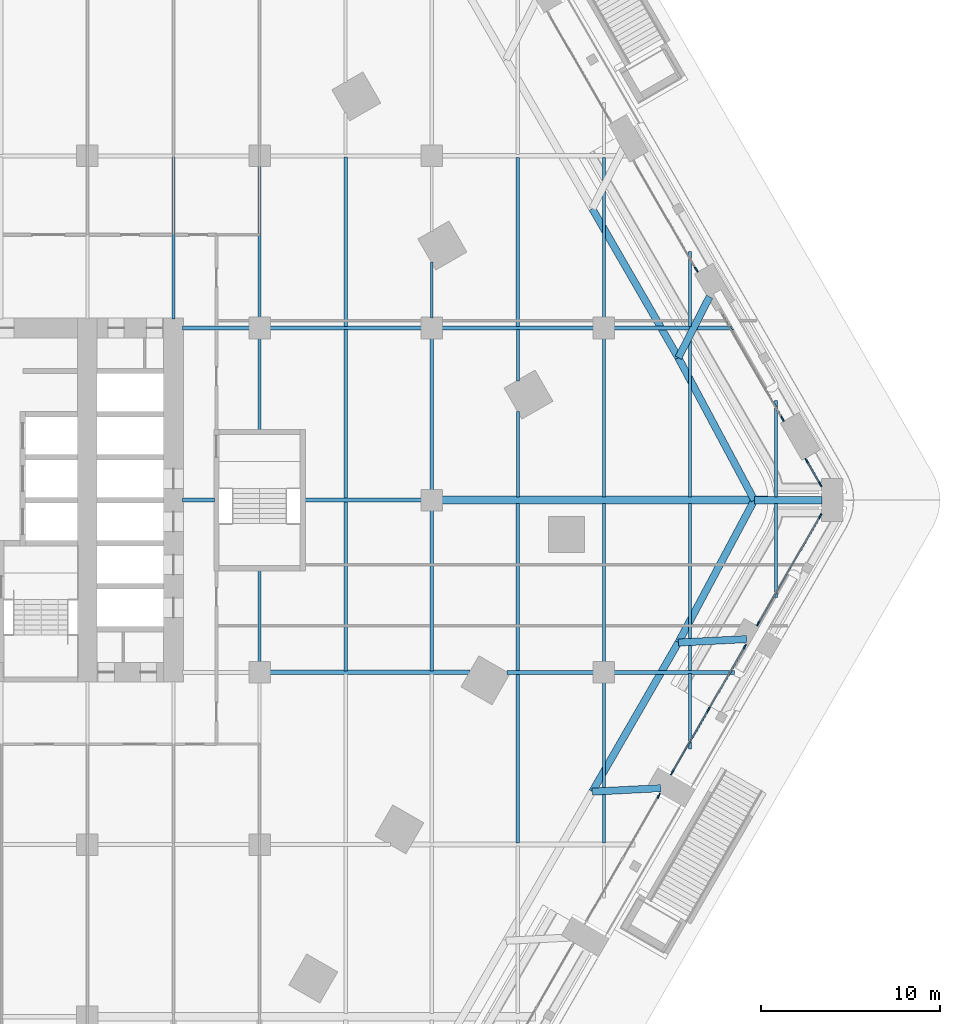
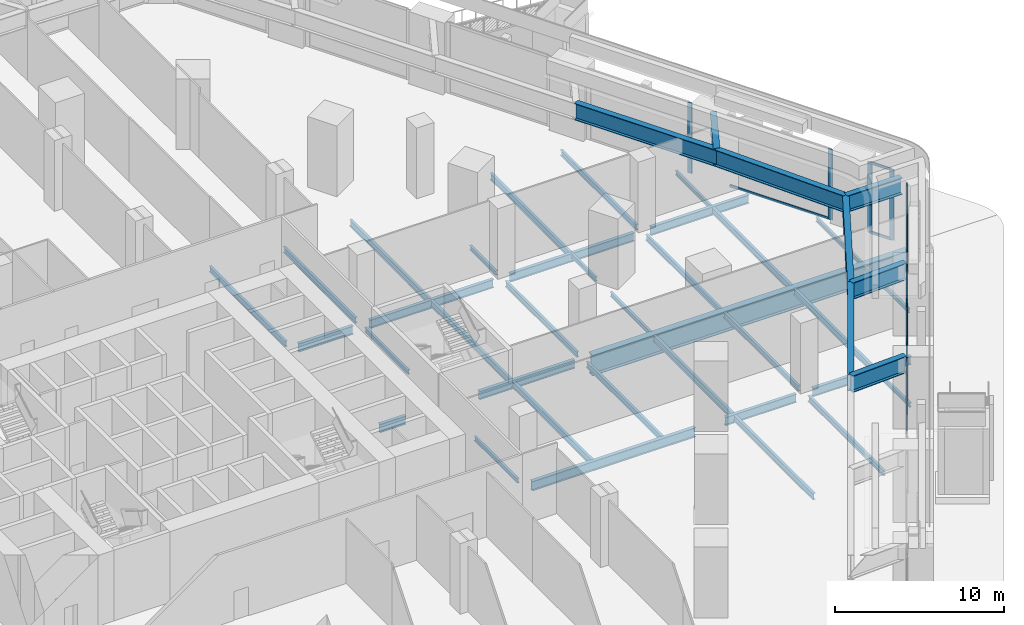
# One storey, part 7 of 34: 43 beams, 19 members, 6 elements without a shape of their own.
"""IFC4 building model written with IfcOpenShell, lengths in metres."""

from ifc_helpers import new_model, si_unit, direction, frame, origin, origin_2d, place, context, subcontext, project, spatial, rectangle, i_section, extrude, material, material_profile, profile_set, type_object, element, aggregate, save


model = new_model("IFC4")

# Units and contexts
model_context = context("Model", 3, precision=1e-05, world=origin(), true_north=direction((0.0, 1.0)))
body_context = subcontext(model_context, "Body", "Model", "MODEL_VIEW")
ifc_project = project(units=[si_unit("LENGTHUNIT", "METRE"), si_unit("AREAUNIT", "SQUARE_METRE"), si_unit("VOLUMEUNIT", "CUBIC_METRE"), si_unit("PLANEANGLEUNIT", "RADIAN"), si_unit("MASSUNIT", "GRAM", prefix="KILO")], contexts=[model_context])

# Site, building, storey
site_placement = place(None, origin())
site = spatial("IfcSite", under=ifc_project, at=site_placement, CompositionType="ELEMENT")
building_placement = place(site_placement, origin())
building = spatial("IfcBuilding", under=site, at=building_placement, Name="Kolab Exchange Tower", CompositionType="ELEMENT")
storey_placement = place(building_placement, frame((0.0, 0.0, 7.0)))
storey = spatial("IfcBuildingStorey", under=building, at=storey_placement, Name="L01", CompositionType="ELEMENT", Elevation=7.0)

# Beams
ifc_material_1 = material(Name="Steel S355", Category="steel")
ifc_material_profile_1 = material_profile(ifc_material_1, i_section(OverallWidth=0.1650390625, OverallDepth=0.31005859375, WebThickness=0.005859375, FlangeThickness=0.009765625, at=origin_2d()), Name="W310X39")
ifc_profile_set_1 = profile_set([ifc_material_profile_1], Name="Steel S355")
beam_type_1 = type_object("IfcBeamType", Name="FLOOR BEAM W310X39", PredefinedType="BEAM", material=ifc_profile_set_1)
for number, where, z_axis, x_axis, name in (
    (1, (19.199951171875, -9.0400390625, -0.455078125), (0.0, 1.0, 0.0), (-1.0, 0.0, 0.0), "beam/L01/fr/102"),
    (2, (19.199951171875, 3.909912109375, -0.455078125), (0.0, 1.0, 0.0), (-1.0, 0.0, 0.0), "beam/L01/fr/103"),
):
    element("IfcBeam", number, at=place(storey_placement, frame(where, z_axis=z_axis, x_axis=x_axis)), inside=storey, type_object=beam_type_1, Name=name, PredefinedType="BEAM", context=body_context, shape_type="SweptSolid", body=[
        extrude(i_section(OverallWidth=0.1650390625, OverallDepth=0.31005859375, WebThickness=0.005859375, FlangeThickness=0.009765625, at=origin_2d()), origin(), (0.0, 0.0, 1.0), 5.130126953125),
    ])
beam_1_placement = place(storey_placement, frame((28.800048828125, 10.159912109375, -0.455078125), z_axis=(0.0, 1.0, 0.0), x_axis=(-1.0, 0.0, 0.0)))
element("IfcBeam", 3, at=beam_1_placement, inside=storey, type_object=beam_type_1, Name="beam/L01/fr/121", PredefinedType="BEAM", context=body_context, shape_type="SweptSolid", body=[
    extrude(i_section(OverallWidth=0.1650390625, OverallDepth=0.31005859375, WebThickness=0.005859375, FlangeThickness=0.009765625, at=origin_2d()), origin(), (0.0, 0.0, 1.0), 3.107666015625),
])
beam_2_placement = place(storey_placement, frame((33.60009765625, 0.18505859375, -0.455078125), z_axis=(0.0, 1.0, 0.0), x_axis=(-1.0, 0.0, 0.0)))
element("IfcBeam", 4, at=beam_2_placement, inside=storey, type_object=beam_type_1, Name="beam/L01/fr/129", PredefinedType="BEAM", context=body_context, shape_type="SweptSolid", body=[
    extrude(i_section(OverallWidth=0.1650390625, OverallDepth=0.31005859375, WebThickness=0.005859375, FlangeThickness=0.009765625, at=origin_2d()), origin(), (0.0, 0.0, 1.0), 4.768798828125),
])
beam_3_placement = place(storey_placement, frame((33.60009765625, 6.6572265625, -0.455078125), z_axis=(0.0, 1.0, 0.0), x_axis=(-1.0, 0.0, 0.0)))
element("IfcBeam", 5, at=beam_3_placement, inside=storey, type_object=beam_type_1, Name="beam/L01/fr/130", PredefinedType="BEAM", context=body_context, shape_type="SweptSolid", body=[
    extrude(i_section(OverallWidth=0.1650390625, OverallDepth=0.31005859375, WebThickness=0.005859375, FlangeThickness=0.009765625, at=origin_2d()), origin(), (0.0, 0.0, 1.0), 2.86865234375),
])
for number, where, z_axis, x_axis, name in (
    (6, (43.199951171875, -13.86767578125, -0.455078125), (0.0, 1.0, 0.0), (-1.0, 0.0, 0.0), "beam/L01/fr/140"),
    (7, (43.199951171875, 9.674072265625, -0.455078125), (0.0, 1.0, 0.0), (-1.0, 0.0, 0.0), "beam/L01/fr/143"),
):
    element("IfcBeam", number, at=place(storey_placement, frame(where, z_axis=z_axis, x_axis=x_axis)), inside=storey, type_object=beam_type_1, Name=name, PredefinedType="BEAM", context=body_context, shape_type="SweptSolid", body=[
        extrude(i_section(OverallWidth=0.1650390625, OverallDepth=0.31005859375, WebThickness=0.005859375, FlangeThickness=0.009765625, at=origin_2d()), origin(), (0.0, 0.0, 1.0), 4.193603515625),
    ])
beam_4_placement = place(storey_placement, frame((48.0, -5.41357421875, -0.455078125), z_axis=(0.0, 1.0, 0.0), x_axis=(-1.0, 0.0, 0.0)))
element("IfcBeam", 8, at=beam_4_placement, inside=storey, type_object=beam_type_1, Name="beam/L01/fr/144", PredefinedType="BEAM", context=body_context, shape_type="SweptSolid", body=[
    extrude(i_section(OverallWidth=0.1650390625, OverallDepth=0.31005859375, WebThickness=0.005859375, FlangeThickness=0.009765625, at=origin_2d()), origin(), (0.0, 0.0, 1.0), 5.228515625),
])
beam_5_placement = place(storey_placement, frame((48.0, 0.18505859375, -0.455078125), z_axis=(0.0, 1.0, 0.0), x_axis=(-1.0, 0.0, 0.0)))
element("IfcBeam", 9, at=beam_5_placement, inside=storey, type_object=beam_type_1, Name="beam/L01/fr/145", PredefinedType="BEAM", context=body_context, shape_type="SweptSolid", body=[
    extrude(i_section(OverallWidth=0.1650390625, OverallDepth=0.31005859375, WebThickness=0.005859375, FlangeThickness=0.009765625, at=origin_2d()), origin(), (0.0, 0.0, 1.0), 5.36865234375),
])
ifc_material_profile_2 = material_profile(ifc_material_1, i_section(OverallWidth=0.177978515625, OverallDepth=0.406982421875, WebThickness=0.0078125, FlangeThickness=0.0126953125, at=origin_2d()), Name="W410X60")
ifc_profile_set_2 = profile_set([ifc_material_profile_2], Name="Steel S355")
beam_type_2 = type_object("IfcBeamType", Name="FLOOR BEAM W410X60", PredefinedType="BEAM", material=ifc_profile_set_2)
beam_6_placement = place(storey_placement, frame((14.39990234375, 10.110107421875, -0.50341796875), z_axis=(0.0, 1.0, 0.0), x_axis=(-1.0, 0.0, 0.0)))
element("IfcBeam", 10, at=beam_6_placement, inside=storey, type_object=beam_type_2, Name="beam/L01/fr/096", PredefinedType="BEAM", context=body_context, shape_type="SweptSolid", body=[
    extrude(i_section(OverallWidth=0.177978515625, OverallDepth=0.406982421875, WebThickness=0.0078125, FlangeThickness=0.0126953125, at=origin_2d()), origin(), (0.0, 0.0, 1.0), 9.015869140625),
])
beam_7_placement = place(storey_placement, frame((19.199951171875, 10.159912109375, -0.50341796875), z_axis=(0.0, 1.0, 0.0), x_axis=(-1.0, 0.0, 0.0)))
element("IfcBeam", 11, at=beam_7_placement, inside=storey, type_object=beam_type_2, Name="beam/L01/fr/104", PredefinedType="BEAM", context=body_context, shape_type="SweptSolid", body=[
    extrude(i_section(OverallWidth=0.177978515625, OverallDepth=0.406982421875, WebThickness=0.0078125, FlangeThickness=0.0126953125, at=origin_2d()), origin(), (0.0, 0.0, 1.0), 8.47998046875),
])
beam_8_placement = place(storey_placement, frame((28.800048828125, -9.512939453125, -0.50341796875), z_axis=(0.0, 1.0, 0.0), x_axis=(-1.0, 0.0, 0.0)))
element("IfcBeam", 12, at=beam_8_placement, inside=storey, type_object=beam_type_2, Name="beam/L01/fr/119", PredefinedType="BEAM", context=body_context, shape_type="SweptSolid", body=[
    extrude(i_section(OverallWidth=0.177978515625, OverallDepth=0.406982421875, WebThickness=0.0078125, FlangeThickness=0.0126953125, at=origin_2d()), origin(), (0.0, 0.0, 1.0), 8.952880859375),
])
beam_9_placement = place(storey_placement, frame((28.800048828125, 0.56005859375, -0.50341796875), z_axis=(0.0, 1.0, 0.0), x_axis=(-1.0, 0.0, 0.0)))
element("IfcBeam", 13, at=beam_9_placement, inside=storey, type_object=beam_type_2, Name="beam/L01/fr/120", PredefinedType="BEAM", context=body_context, shape_type="SweptSolid", body=[
    extrude(i_section(OverallWidth=0.177978515625, OverallDepth=0.406982421875, WebThickness=0.0078125, FlangeThickness=0.0126953125, at=origin_2d()), origin(), (0.0, 0.0, 1.0), 8.47998046875),
])
beam_10_placement = place(storey_placement, frame((38.39990234375, -19.1064453125, -0.50341796875), z_axis=(0.0, 1.0, 0.0), x_axis=(-1.0, 0.0, 0.0)))
element("IfcBeam", 14, at=beam_10_placement, inside=storey, type_object=beam_type_2, Name="beam/L01/fr/135", PredefinedType="BEAM", context=body_context, shape_type="SweptSolid", body=[
    extrude(i_section(OverallWidth=0.177978515625, OverallDepth=0.406982421875, WebThickness=0.0078125, FlangeThickness=0.0126953125, at=origin_2d()), origin(), (0.0, 0.0, 1.0), 8.946533203125),
])
for number, where, z_axis, x_axis, name in (
    (15, (38.39990234375, -9.0400390625, -0.50341796875), (0.0, 1.0, 0.0), (-1.0, 0.0, 0.0), "beam/L01/fr/136"),
    (16, (38.39990234375, 0.18505859375, -0.50341796875), (0.0, 1.0, 0.0), (-1.0, 0.0, 0.0), "beam/L01/fr/137"),
):
    element("IfcBeam", number, at=place(storey_placement, frame(where, z_axis=z_axis, x_axis=x_axis)), inside=storey, type_object=beam_type_2, Name=name, PredefinedType="BEAM", context=body_context, shape_type="SweptSolid", body=[
        extrude(i_section(OverallWidth=0.177978515625, OverallDepth=0.406982421875, WebThickness=0.0078125, FlangeThickness=0.0126953125, at=origin_2d()), origin(), (0.0, 0.0, 1.0), 8.85498046875),
    ])
beam_11_placement = place(storey_placement, frame((38.39990234375, 10.159912109375, -0.50341796875), z_axis=(0.0, 1.0, 0.0), x_axis=(-1.0, 0.0, 0.0)))
element("IfcBeam", 17, at=beam_11_placement, inside=storey, type_object=beam_type_2, Name="beam/L01/fr/138", PredefinedType="BEAM", context=body_context, shape_type="SweptSolid", body=[
    extrude(i_section(OverallWidth=0.177978515625, OverallDepth=0.406982421875, WebThickness=0.0078125, FlangeThickness=0.0126953125, at=origin_2d()), origin(), (0.0, 0.0, 1.0), 8.953125),
])
ifc_material_profile_3 = material_profile(ifc_material_1, i_section(OverallWidth=0.18994140625, OverallDepth=0.45703125, WebThickness=0.009033203125, FlangeThickness=0.014404296875, at=origin_2d()), Name="W460X74")
ifc_profile_set_3 = profile_set([ifc_material_profile_3], Name="Steel S355")
beam_type_3 = type_object("IfcBeamType", Name="FLOOR BEAM W460X74", PredefinedType="BEAM", material=ifc_profile_set_3)
beam_12_placement = place(storey_placement, frame((24.0, -9.512939453125, -0.528564453125), z_axis=(0.0, 1.0, 0.0), x_axis=(-1.0, 0.0, 0.0)))
element("IfcBeam", 18, at=beam_12_placement, inside=storey, type_object=beam_type_3, Name="beam/L01/fr/110", PredefinedType="BEAM", context=body_context, shape_type="SweptSolid", body=[
    extrude(i_section(OverallWidth=0.18994140625, OverallDepth=0.45703125, WebThickness=0.009033203125, FlangeThickness=0.014404296875, at=origin_2d()), origin(), (0.0, 0.0, 1.0), 9.43896484375),
])
for number, where, z_axis, x_axis, name in (
    (19, (24.0, 0.073974609375, -0.528564453125), (0.0, 1.0, 0.0), (-1.0, 0.0, 0.0), "beam/L01/fr/111"),
    (20, (24.0, 9.674072265625, -0.528564453125), (0.0, 1.0, 0.0), (-1.0, 0.0, 0.0), "beam/L01/fr/112"),
):
    element("IfcBeam", number, at=place(storey_placement, frame(where, z_axis=z_axis, x_axis=x_axis)), inside=storey, type_object=beam_type_3, Name=name, PredefinedType="BEAM", context=body_context, shape_type="SweptSolid", body=[
        extrude(i_section(OverallWidth=0.18994140625, OverallDepth=0.45703125, WebThickness=0.009033203125, FlangeThickness=0.014404296875, at=origin_2d()), origin(), (0.0, 0.0, 1.0), 9.451904296875),
    ])
beam_13_placement = place(storey_placement, frame((33.60009765625, -19.1064453125, -0.528564453125), z_axis=(0.0, 1.0, 0.0), x_axis=(-1.0, 0.0, 0.0)))
element("IfcBeam", 21, at=beam_13_placement, inside=storey, type_object=beam_type_3, Name="beam/L01/fr/127", PredefinedType="BEAM", context=body_context, shape_type="SweptSolid", body=[
    extrude(i_section(OverallWidth=0.18994140625, OverallDepth=0.45703125, WebThickness=0.009033203125, FlangeThickness=0.014404296875, at=origin_2d()), origin(), (0.0, 0.0, 1.0), 9.432373046875),
])
beam_14_placement = place(storey_placement, frame((33.60009765625, -9.52587890625, -0.528564453125), z_axis=(0.0, 1.0, 0.0), x_axis=(-1.0, 0.0, 0.0)))
element("IfcBeam", 22, at=beam_14_placement, inside=storey, type_object=beam_type_3, Name="beam/L01/fr/128", PredefinedType="BEAM", context=body_context, shape_type="SweptSolid", body=[
    extrude(i_section(OverallWidth=0.18994140625, OverallDepth=0.45703125, WebThickness=0.009033203125, FlangeThickness=0.014404296875, at=origin_2d()), origin(), (0.0, 0.0, 1.0), 9.3408203125),
])
beam_15_placement = place(storey_placement, frame((33.60009765625, 9.674072265625, -0.528564453125), z_axis=(0.0, 1.0, 0.0), x_axis=(-1.0, 0.0, 0.0)))
element("IfcBeam", 23, at=beam_15_placement, inside=storey, type_object=beam_type_3, Name="beam/L01/fr/131", PredefinedType="BEAM", context=body_context, shape_type="SweptSolid", body=[
    extrude(i_section(OverallWidth=0.18994140625, OverallDepth=0.45703125, WebThickness=0.009033203125, FlangeThickness=0.014404296875, at=origin_2d()), origin(), (0.0, 0.0, 1.0), 9.43896484375),
])
for number, where, z_axis, x_axis, name in (
    (24, (43.199951171875, -9.52587890625, -0.528564453125), (0.0, 1.0, 0.0), (-1.0, 0.0, 0.0), "beam/L01/fr/141"),
    (25, (43.199951171875, 0.18505859375, -0.528564453125), (0.0, 1.0, 0.0), (-1.0, 0.0, 0.0), "beam/L01/fr/142"),
):
    element("IfcBeam", number, at=place(storey_placement, frame(where, z_axis=z_axis, x_axis=x_axis)), inside=storey, type_object=beam_type_3, Name=name, PredefinedType="BEAM", context=body_context, shape_type="SweptSolid", body=[
        extrude(i_section(OverallWidth=0.18994140625, OverallDepth=0.45703125, WebThickness=0.009033203125, FlangeThickness=0.014404296875, at=origin_2d()), origin(), (0.0, 0.0, 1.0), 9.3408203125),
    ])
ifc_material_profile_4 = material_profile(ifc_material_1, i_section(OverallWidth=0.449951171875, OverallDepth=1.5, WebThickness=0.028076171875, FlangeThickness=0.044921875, at=origin_2d()), Name="PG1500X450")
ifc_profile_set_4 = profile_set([ifc_material_profile_4], Name="Steel S355")
beam_type_4 = type_object("IfcBeamType", Name="FLOOR GIRDER PG1500X450", PredefinedType="BEAM", material=ifc_profile_set_4)
beam_16_placement = place(storey_placement, frame((29.360107421875, 0.0, -1.050048828125), z_axis=(1.0, 0.0, 0.0), x_axis=(0.0, 1.0, 0.0)))
element("IfcBeam", 26, at=beam_16_placement, inside=storey, type_object=beam_type_4, Name="beam/L01/gd/040", PredefinedType="BEAM", context=body_context, shape_type="SweptSolid", body=[
    extrude(i_section(OverallWidth=0.449951171875, OverallDepth=1.5, WebThickness=0.028076171875, FlangeThickness=0.044921875, at=origin_2d()), origin(), (0.0, 0.0, 1.0), 21.58837890625),
])
ifc_material_profile_5 = material_profile(ifc_material_1, i_section(OverallWidth=0.22802734375, OverallDepth=0.60791015625, WebThickness=0.01123046875, FlangeThickness=0.017333984375, at=origin_2d()), Name="W610X113")
ifc_profile_set_5 = profile_set([ifc_material_profile_5], Name="Steel S355")
beam_type_5 = type_object("IfcBeamType", Name="FLOOR GIRDER W610X113", PredefinedType="BEAM", material=ifc_profile_set_5)
beam_17_placement = place(storey_placement, frame((14.909912109375, 0.0, -0.60400390625), z_axis=(1.0, 0.0, 0.0), x_axis=(0.0, 1.0, 0.0)))
element("IfcBeam", 27, at=beam_17_placement, inside=storey, type_object=beam_type_5, Name="beam/L01/gd/032", PredefinedType="BEAM", context=body_context, shape_type="SweptSolid", body=[
    extrude(i_section(OverallWidth=0.22802734375, OverallDepth=0.60791015625, WebThickness=0.01123046875, FlangeThickness=0.017333984375, at=origin_2d()), origin(), (0.0, 0.0, 1.0), 1.780029296875),
])
beam_18_placement = place(storey_placement, frame((14.909912109375, 9.60009765625, -0.60400390625), z_axis=(1.0, 0.0, 0.0), x_axis=(0.0, 1.0, 0.0)))
element("IfcBeam", 28, at=beam_18_placement, inside=storey, type_object=beam_type_5, Name="beam/L01/gd/033", PredefinedType="BEAM", context=body_context, shape_type="SweptSolid", body=[
    extrude(i_section(OverallWidth=0.22802734375, OverallDepth=0.60791015625, WebThickness=0.01123046875, FlangeThickness=0.017333984375, at=origin_2d()), origin(), (0.0, 0.0, 1.0), 3.72998046875),
])
beam_19_placement = place(storey_placement, frame((19.760009765625, 9.60009765625, -0.60400390625), z_axis=(1.0, 0.0, 0.0), x_axis=(0.0, 1.0, 0.0)))
element("IfcBeam", 29, at=beam_19_placement, inside=storey, type_object=beam_type_5, Name="beam/L01/gd/036", PredefinedType="BEAM", context=body_context, shape_type="SweptSolid", body=[
    extrude(i_section(OverallWidth=0.22802734375, OverallDepth=0.60791015625, WebThickness=0.01123046875, FlangeThickness=0.017333984375, at=origin_2d()), origin(), (0.0, 0.0, 1.0), 8.47998046875),
])
beam_20_placement = place(storey_placement, frame((21.7099609375, 0.0, -0.60400390625), z_axis=(1.0, 0.0, 0.0), x_axis=(0.0, 1.0, 0.0)))
element("IfcBeam", 30, at=beam_20_placement, inside=storey, type_object=beam_type_5, Name="beam/L01/gd/038", PredefinedType="BEAM", context=body_context, shape_type="SweptSolid", body=[
    extrude(i_section(OverallWidth=0.22802734375, OverallDepth=0.60791015625, WebThickness=0.01123046875, FlangeThickness=0.017333984375, at=origin_2d()), origin(), (0.0, 0.0, 1.0), 6.530029296875),
])
beam_21_placement = place(storey_placement, frame((29.360107421875, 9.60009765625, -0.60400390625), z_axis=(1.0, 0.0, 0.0), x_axis=(0.0, 1.0, 0.0)))
element("IfcBeam", 31, at=beam_21_placement, inside=storey, type_object=beam_type_5, Name="beam/L01/gd/041", PredefinedType="BEAM", context=body_context, shape_type="SweptSolid", body=[
    extrude(i_section(OverallWidth=0.22802734375, OverallDepth=0.60791015625, WebThickness=0.01123046875, FlangeThickness=0.017333984375, at=origin_2d()), origin(), (0.0, 0.0, 1.0), 8.47998046875),
])
beam_22_placement = place(storey_placement, frame((32.98779296875, -9.60009765625, -0.60400390625), z_axis=(1.0, 0.0, 0.0), x_axis=(0.0, 1.0, 0.0)))
element("IfcBeam", 32, at=beam_22_placement, inside=storey, type_object=beam_type_5, Name="beam/L01/gd/043", PredefinedType="BEAM", context=body_context, shape_type="SweptSolid", body=[
    extrude(i_section(OverallWidth=0.22802734375, OverallDepth=0.60791015625, WebThickness=0.01123046875, FlangeThickness=0.017333984375, at=origin_2d()), origin(), (0.0, 0.0, 1.0), 4.852294921875),
])
for number, where, z_axis, x_axis, name in (
    (33, (38.9599609375, -9.60009765625, -0.60400390625), (1.0, 0.0, 0.0), (0.0, 1.0, 0.0), "beam/L01/gd/044"),
    (34, (38.9599609375, 9.60009765625, -0.60400390625), (1.0, 0.0, 0.0), (0.0, 1.0, 0.0), "beam/L01/gd/045"),
):
    element("IfcBeam", number, at=place(storey_placement, frame(where, z_axis=z_axis, x_axis=x_axis)), inside=storey, type_object=beam_type_5, Name=name, PredefinedType="BEAM", context=body_context, shape_type="SweptSolid", body=[
        extrude(i_section(OverallWidth=0.22802734375, OverallDepth=0.60791015625, WebThickness=0.01123046875, FlangeThickness=0.017333984375, at=origin_2d()), origin(), (0.0, 0.0, 1.0), 6.720947265625),
    ])
ifc_material_profile_6 = material_profile(ifc_material_1, i_section(OverallWidth=0.25390625, OverallDepth=0.68408203125, WebThickness=0.012451171875, FlangeThickness=0.018798828125, at=origin_2d()), Name="W690X140")
ifc_profile_set_6 = profile_set([ifc_material_profile_6], Name="Steel S355")
beam_type_6 = type_object("IfcBeamType", Name="FLOOR GIRDER W690X140", PredefinedType="BEAM", material=ifc_profile_set_6)
beam_23_placement = place(storey_placement, frame((19.760009765625, -9.60009765625, -0.64208984375), z_axis=(1.0, 0.0, 0.0), x_axis=(0.0, 1.0, 0.0)))
element("IfcBeam", 35, at=beam_23_placement, inside=storey, type_object=beam_type_6, Name="beam/L01/gd/035", PredefinedType="BEAM", context=body_context, shape_type="SweptSolid", body=[
    extrude(i_section(OverallWidth=0.25390625, OverallDepth=0.68408203125, WebThickness=0.012451171875, FlangeThickness=0.018798828125, at=origin_2d()), origin(), (0.0, 0.0, 1.0), 11.17431640625),
])

# Curtain wall, member
ifc_material_2 = material(Name="Aluminium EN AW-6063 T6", Category="aluminium")
curtain_wall_type = type_object("IfcCurtainWallType", Name="PODIUM STRUCTURAL GLAZING CURTAIN WALL", PredefinedType="NOTDEFINED", material=ifc_material_2)
curtain_wall_1_placement = place(storey_placement, origin())
curtain_wall_1 = element("IfcCurtainWall", 36, at=curtain_wall_1_placement, inside=storey, type_object=curtain_wall_type, Name="cw/L01/F2-4", PredefinedType="NOTDEFINED")
ifc_material_profile_7 = material_profile(ifc_material_2, rectangle(XDim=0.080078125, YDim=0.300048828125, at=origin_2d()), Name="RECT 80X300")
ifc_profile_set_7 = profile_set([ifc_material_profile_7], Name="Aluminium EN AW-6063 T6")
member_type_1 = type_object("IfcMemberType", Name="PODIUM STRUCTURAL GLAZING MULLION 80 X 300", PredefinedType="MULLION", material=ifc_profile_set_7)
member_1_placement = place(storey_placement, frame((43.556640625, 12.849853515625, 0.0), z_axis=(0.0, 0.0, 1.0), x_axis=(0.866025392379, 0.500000019755, 0.0)))
member_1 = element("IfcMember", 37, at=member_1_placement, type_object=member_type_1, Name="CW5 mullion 2", PredefinedType="MULLION", context=body_context, shape_type="SweptSolid", body=[
    extrude(rectangle(XDim=0.080078125, YDim=0.300048828125, at=origin_2d()), origin(), (0.0, 0.0, 1.0), 5.10009765625),
])
aggregate(curtain_wall_1, [member_1])

curtain_wall_2_placement = place(storey_placement, origin())
curtain_wall_2 = element("IfcCurtainWall", 38, at=curtain_wall_2_placement, inside=storey, type_object=curtain_wall_type, Name="cw/L01/F2-5", PredefinedType="NOTDEFINED")
member_2_placement = place(storey_placement, frame((48.356689453125, 4.5361328125, 0.0), z_axis=(0.0, 0.0, 1.0), x_axis=(0.866025392379, 0.500000019755, 0.0)))
member_2 = element("IfcMember", 39, at=member_2_placement, type_object=member_type_1, Name="CW5 mullion 2", PredefinedType="MULLION", context=body_context, shape_type="SweptSolid", body=[
    extrude(rectangle(XDim=0.080078125, YDim=0.300048828125, at=origin_2d()), origin(), (0.0, 0.0, 1.0), 5.10009765625),
])

# Curtain wall, members
curtain_wall_3_placement = place(storey_placement, origin())
curtain_wall_3 = element("IfcCurtainWall", 40, at=curtain_wall_3_placement, inside=storey, type_object=curtain_wall_type, Name="cw/L01/F2-6", PredefinedType="NOTDEFINED")
member_3_placement = place(storey_placement, frame((49.706787109375, 2.19775390625, 0.0), z_axis=(0.0, 0.0, 1.0), x_axis=(0.866025415068, 0.499999980456, 0.0)))
member_3 = element("IfcMember", 41, at=member_3_placement, type_object=member_type_1, Name="CW5 mullion 1", PredefinedType="MULLION", context=body_context, shape_type="SweptSolid", body=[
    extrude(rectangle(XDim=0.080078125, YDim=0.300048828125, at=origin_2d()), origin(), (0.0, 0.0, 1.0), 5.10009765625),
])
member_4_placement = place(storey_placement, frame((50.4609375, 0.891357421875, 0.0), z_axis=(0.0, 0.0, 1.0), x_axis=(0.866025415068, 0.499999980456, 0.0)))
member_4 = element("IfcMember", 42, at=member_4_placement, type_object=member_type_1, Name="CW5 mullion 2", PredefinedType="MULLION", context=body_context, shape_type="SweptSolid", body=[
    extrude(rectangle(XDim=0.080078125, YDim=0.300048828125, at=origin_2d()), origin(), (0.0, 0.0, 1.0), 5.10009765625),
])

curtain_wall_4_placement = place(storey_placement, origin())
curtain_wall_4 = element("IfcCurtainWall", 43, at=curtain_wall_4_placement, inside=storey, type_object=curtain_wall_type, Name="cw/L01/F3-1", PredefinedType="NOTDEFINED")
member_5_placement = place(storey_placement, frame((50.4609375, -0.891357421875, 0.0), z_axis=(0.0, 0.0, 1.0), x_axis=(0.866025435672, -0.49999994477, 0.0)))
member_5 = element("IfcMember", 44, at=member_5_placement, type_object=member_type_1, Name="CW5 mullion 1", PredefinedType="MULLION", context=body_context, shape_type="SweptSolid", body=[
    extrude(rectangle(XDim=0.080078125, YDim=0.300048828125, at=origin_2d()), origin(), (0.0, 0.0, 1.0), 5.10009765625),
])
member_6_placement = place(storey_placement, frame((47.006591796875, -6.874267578125, 0.0), z_axis=(0.0, 0.0, 1.0), x_axis=(0.866025435672, -0.49999994477, 0.0)))
member_6 = element("IfcMember", 45, at=member_6_placement, type_object=member_type_1, Name="CW5 mullion 2", PredefinedType="MULLION", context=body_context, shape_type="SweptSolid", body=[
    extrude(rectangle(XDim=0.080078125, YDim=0.300048828125, at=origin_2d()), origin(), (0.0, 0.0, 1.0), 5.10009765625),
])

curtain_wall_5_placement = place(storey_placement, origin())
curtain_wall_5 = element("IfcCurtainWall", 46, at=curtain_wall_5_placement, inside=storey, type_object=curtain_wall_type, Name="cw/L01/F3-2", PredefinedType="NOTDEFINED")
member_7_placement = place(storey_placement, frame((46.256591796875, -8.17333984375, 0.0), z_axis=(0.0, 0.0, 1.0), x_axis=(0.866025409806, -0.499999989571, 0.0)))
member_7 = element("IfcMember", 47, at=member_7_placement, type_object=member_type_1, Name="CW5 mullion 1", PredefinedType="MULLION", context=body_context, shape_type="SweptSolid", body=[
    extrude(rectangle(XDim=0.080078125, YDim=0.300048828125, at=origin_2d()), origin(), (0.0, 0.0, 1.0), 5.10009765625),
])
member_8_placement = place(storey_placement, frame((44.231689453125, -11.6806640625, 0.0), z_axis=(0.0, 0.0, 1.0), x_axis=(0.866025409806, -0.499999989571, 0.0)))
member_8 = element("IfcMember", 48, at=member_8_placement, type_object=member_type_1, Name="CW5 mullion 2", PredefinedType="MULLION", context=body_context, shape_type="SweptSolid", body=[
    extrude(rectangle(XDim=0.080078125, YDim=0.300048828125, at=origin_2d()), origin(), (0.0, 0.0, 1.0), 5.10009765625),
])
member_9_placement = place(storey_placement, frame((42.206787109375, -15.188232421875, 0.0), z_axis=(0.0, 0.0, 1.0), x_axis=(0.866025409806, -0.499999989571, 0.0)))
member_9 = element("IfcMember", 49, at=member_9_placement, type_object=member_type_1, Name="CW5 mullion 3", PredefinedType="MULLION", context=body_context, shape_type="SweptSolid", body=[
    extrude(rectangle(XDim=0.080078125, YDim=0.300048828125, at=origin_2d()), origin(), (0.0, 0.0, 1.0), 5.10009765625),
])

# Curtain wall, member
curtain_wall_6_placement = place(storey_placement, origin())
curtain_wall_6 = element("IfcCurtainWall", 50, at=curtain_wall_6_placement, inside=storey, type_object=curtain_wall_type, Name="cw/L01/F3-3", PredefinedType="NOTDEFINED")
member_10_placement = place(storey_placement, frame((41.456787109375, -16.4873046875, 0.0), z_axis=(0.0, 0.0, 1.0), x_axis=(0.866025409806, -0.499999989571, 0.0)))
member_10 = element("IfcMember", 51, at=member_10_placement, type_object=member_type_1, Name="CW5 mullion 1", PredefinedType="MULLION", context=body_context, shape_type="SweptSolid", body=[
    extrude(rectangle(XDim=0.080078125, YDim=0.300048828125, at=origin_2d()), origin(), (0.0, 0.0, 1.0), 5.10009765625),
])
aggregate(curtain_wall_6, [member_10])

# Member
ifc_material_profile_8 = material_profile(ifc_material_2, rectangle(XDim=0.080078125, YDim=0.179931640625, at=origin_2d()), Name="RECT 80X180")
ifc_profile_set_8 = profile_set([ifc_material_profile_8], Name="Aluminium EN AW-6063 T6")
member_type_2 = type_object("IfcMemberType", Name="PODIUM STRUCTURAL GLAZING TRANSOM 80 X 180", PredefinedType="USERDEFINED", material=ifc_profile_set_8)
member_11_placement = place(storey_placement, frame((44.9267578125, 10.47705078125, 0.0400390625), z_axis=(0.499993080764, -0.866029398571, 0.0), x_axis=(0.866029398571, 0.499993080764, 0.0)))
member_11 = element("IfcMember", 52, at=member_11_placement, type_object=member_type_2, Name="CW5 transom 1.1", ObjectType="TRANSOM", PredefinedType="USERDEFINED", context=body_context, shape_type="SweptSolid", body=[
    extrude(rectangle(XDim=0.080078125, YDim=0.179931640625, at=origin_2d()), origin(), (0.0, 0.0, 1.0), 6.81982421875),
])

aggregate(curtain_wall_2, [member_2, member_11])

member_12_placement = place(storey_placement, frame((49.7265625, 2.1630859375, 0.0400390625), z_axis=(0.500072571919, -0.865983500313, 0.0), x_axis=(0.865983500313, 0.500072571919, 0.0)))
member_12 = element("IfcMember", 53, at=member_12_placement, type_object=member_type_2, Name="CW5 transom 1.1", ObjectType="TRANSOM", PredefinedType="USERDEFINED", context=body_context, shape_type="SweptSolid", body=[
    extrude(rectangle(XDim=0.080078125, YDim=0.179931640625, at=origin_2d()), origin(), (0.0, 0.0, 1.0), 1.428466796875),
])

member_13_placement = place(storey_placement, frame((49.7265625, 2.1630859375, 5.06005859375), z_axis=(0.500072571919, -0.865983500313, 0.0), x_axis=(0.865983500313, 0.500072571919, 0.0)))
member_13 = element("IfcMember", 54, at=member_13_placement, type_object=member_type_2, Name="CW5 transom 1.2", ObjectType="TRANSOM", PredefinedType="USERDEFINED", context=body_context, shape_type="SweptSolid", body=[
    extrude(rectangle(XDim=0.080078125, YDim=0.179931640625, at=origin_2d()), origin(), (0.0, 0.0, 1.0), 1.428466796875),
])

aggregate(curtain_wall_3, [member_3, member_4, member_12, member_13])

member_14_placement = place(storey_placement, frame((50.44091796875, -0.926025390625, 0.0400390625), z_axis=(-0.500011310001, -0.866018873854, 0.0), x_axis=(0.866018873854, -0.500011310001, 0.0)))
member_14 = element("IfcMember", 55, at=member_14_placement, type_object=member_type_2, Name="CW5 transom 1.1", ObjectType="TRANSOM", PredefinedType="USERDEFINED", context=body_context, shape_type="SweptSolid", body=[
    extrude(rectangle(XDim=0.080078125, YDim=0.179931640625, at=origin_2d()), origin(), (0.0, 0.0, 1.0), 6.828369140625),
])

member_15_placement = place(storey_placement, frame((50.44091796875, -0.926025390625, 5.06005859375), z_axis=(-0.500011310001, -0.866018873854, 0.0), x_axis=(0.866018873854, -0.500011310001, 0.0)))
member_15 = element("IfcMember", 56, at=member_15_placement, type_object=member_type_2, Name="CW5 transom 1.2", ObjectType="TRANSOM", PredefinedType="USERDEFINED", context=body_context, shape_type="SweptSolid", body=[
    extrude(rectangle(XDim=0.080078125, YDim=0.179931640625, at=origin_2d()), origin(), (0.0, 0.0, 1.0), 6.828369140625),
])

aggregate(curtain_wall_4, [member_5, member_6, member_14, member_15])

member_16_placement = place(storey_placement, frame((46.236572265625, -8.2080078125, 0.0400390625), z_axis=(-0.499962002361, -0.86604734062, 0.0), x_axis=(0.86604734062, -0.499962002361, 0.0)))
member_16 = element("IfcMember", 57, at=member_16_placement, type_object=member_type_2, Name="CW5 transom 1.1", ObjectType="TRANSOM", PredefinedType="USERDEFINED", context=body_context, shape_type="SweptSolid", body=[
    extrude(rectangle(XDim=0.080078125, YDim=0.179931640625, at=origin_2d()), origin(), (0.0, 0.0, 1.0), 3.969970703125),
])

member_17_placement = place(storey_placement, frame((46.236572265625, -8.2080078125, 5.06005859375), z_axis=(-0.499962002361, -0.86604734062, 0.0), x_axis=(0.86604734062, -0.499962002361, 0.0)))
member_17 = element("IfcMember", 58, at=member_17_placement, type_object=member_type_2, Name="CW5 transom 1.2", ObjectType="TRANSOM", PredefinedType="USERDEFINED", context=body_context, shape_type="SweptSolid", body=[
    extrude(rectangle(XDim=0.080078125, YDim=0.179931640625, at=origin_2d()), origin(), (0.0, 0.0, 1.0), 3.969970703125),
])

member_18_placement = place(storey_placement, frame((44.211669921875, -11.71533203125, 0.0400390625), z_axis=(-0.500008124526, -0.866020713036, 0.0), x_axis=(0.866020713036, -0.500008124526, 0.0)))
member_18 = element("IfcMember", 59, at=member_18_placement, type_object=member_type_2, Name="CW5 transom 2.1", ObjectType="TRANSOM", PredefinedType="USERDEFINED", context=body_context, shape_type="SweptSolid", body=[
    extrude(rectangle(XDim=0.080078125, YDim=0.179931640625, at=origin_2d()), origin(), (0.0, 0.0, 1.0), 3.97021484375),
])

member_19_placement = place(storey_placement, frame((44.211669921875, -11.71533203125, 5.06005859375), z_axis=(-0.500008124526, -0.866020713036, 0.0), x_axis=(0.866020713036, -0.500008124526, 0.0)))
member_19 = element("IfcMember", 60, at=member_19_placement, type_object=member_type_2, Name="CW5 transom 2.2", ObjectType="TRANSOM", PredefinedType="USERDEFINED", context=body_context, shape_type="SweptSolid", body=[
    extrude(rectangle(XDim=0.080078125, YDim=0.179931640625, at=origin_2d()), origin(), (0.0, 0.0, 1.0), 3.97021484375),
])

aggregate(curtain_wall_5, [member_7, member_8, member_9, member_16, member_17, member_18, member_19])

# Beams
ifc_material_profile_9 = material_profile(ifc_material_1, i_section(OverallWidth=0.39990234375, OverallDepth=1.199951171875, WebThickness=0.02490234375, FlangeThickness=0.0400390625, at=origin_2d()), Name="PG1200X400")
ifc_profile_set_9 = profile_set([ifc_material_profile_9], Name="Steel S355")
beam_type_7 = type_object("IfcBeamType", Name="TRANSFER GIRDER PG1200X400", PredefinedType="BEAM", material=ifc_profile_set_9)
beam_24_placement = place(storey_placement, frame((42.550537109375, 7.938720703125, 4.5), z_axis=(0.455209992667, 0.890384109571, 0.0), x_axis=(-0.890384109571, 0.455209992667, 0.0)))
element("IfcBeam", 61, at=beam_24_placement, inside=storey, type_object=beam_type_7, Name="beam/L01/tg/P2-F2-09", PredefinedType="BEAM", context=body_context, shape_type="SweptSolid", body=[
    extrude(i_section(OverallWidth=0.39990234375, OverallDepth=1.199951171875, WebThickness=0.02490234375, FlangeThickness=0.0400390625, at=origin_2d()), origin(), (0.0, 0.0, 1.0), 3.826171875),
])
beam_25_placement = place(storey_placement, frame((46.785888671875, 0.0, 4.5), z_axis=(1.0, 0.0, 0.0), x_axis=(0.0, 1.0, 0.0)))
element("IfcBeam", 62, at=beam_25_placement, inside=storey, type_object=beam_type_7, Name="beam/L01/tg/P2-F3-01", PredefinedType="BEAM", context=body_context, shape_type="SweptSolid", body=[
    extrude(i_section(OverallWidth=0.39990234375, OverallDepth=1.199951171875, WebThickness=0.02490234375, FlangeThickness=0.0400390625, at=origin_2d()), origin(), (0.0, 0.0, 1.0), 3.760009765625),
])
for number, where, z_axis, x_axis, name in (
    (63, (42.550537109375, -7.938720703125, 4.5), (0.99870268381, 0.050921010905, 0.0), (-0.050921010905, 0.99870268381, 0.0), "beam/L01/tg/P2-F3-03"),
    (64, (37.75048828125, -16.252685546875, 4.5), (0.998699436698, 0.050984655928, 0.0), (-0.050984655928, 0.998699436698, 0.0), "beam/L01/tg/P2-F3-05"),
):
    element("IfcBeam", number, at=place(storey_placement, frame(where, z_axis=z_axis, x_axis=x_axis)), inside=storey, type_object=beam_type_7, Name=name, PredefinedType="BEAM", context=body_context, shape_type="SweptSolid", body=[
        extrude(i_section(OverallWidth=0.39990234375, OverallDepth=1.199951171875, WebThickness=0.02490234375, FlangeThickness=0.0400390625, at=origin_2d()), origin(), (0.0, 0.0, 1.0), 3.825927734375),
    ])
beam_26_placement = place(storey_placement, frame((37.75048828125, 16.252685546875, 4.5), z_axis=(0.499998358424, -0.866026351547, 0.0), x_axis=(0.866026351547, 0.499998358424, 0.0)))
element("IfcBeam", 65, at=beam_26_placement, inside=storey, type_object=beam_type_7, Name="beam/L01/rg/P2-F2-07", PredefinedType="BEAM", context=body_context, shape_type="SweptSolid", body=[
    extrude(i_section(OverallWidth=0.39990234375, OverallDepth=1.199951171875, WebThickness=0.02490234375, FlangeThickness=0.0400390625, at=origin_2d()), origin(), (0.0, 0.0, 1.0), 9.60009765625),
])
for number, where, z_axis, x_axis, name in (
    (66, (42.550537109375, 7.938720703125, 4.5), (0.470706528005, -0.882289841545, 0.0), (0.882289841545, 0.470706528005, 0.0), "beam/L01/rg/P2-F2-09"),
    (67, (46.785888671875, 0.0, 4.5), (-0.470706528005, -0.882289841545, 0.0), (0.882289841545, -0.470706528005, 0.0), "beam/L01/rg/P2-F3-01"),
):
    element("IfcBeam", number, at=place(storey_placement, frame(where, z_axis=z_axis, x_axis=x_axis)), inside=storey, type_object=beam_type_7, Name=name, PredefinedType="BEAM", context=body_context, shape_type="SweptSolid", body=[
        extrude(i_section(OverallWidth=0.39990234375, OverallDepth=1.199951171875, WebThickness=0.02490234375, FlangeThickness=0.0400390625, at=origin_2d()), origin(), (0.0, 0.0, 1.0), 8.997802734375),
    ])
beam_27_placement = place(storey_placement, frame((42.550537109375, -7.938720703125, 4.5), z_axis=(-0.499998358424, -0.866026351547, 0.0), x_axis=(0.866026351547, -0.499998358424, 0.0)))
element("IfcBeam", 68, at=beam_27_placement, inside=storey, type_object=beam_type_7, Name="beam/L01/rg/P2-F3-03", PredefinedType="BEAM", context=body_context, shape_type="SweptSolid", body=[
    extrude(i_section(OverallWidth=0.39990234375, OverallDepth=1.199951171875, WebThickness=0.02490234375, FlangeThickness=0.0400390625, at=origin_2d()), origin(), (0.0, 0.0, 1.0), 9.60009765625),
])

save(model, "model.ifc")
